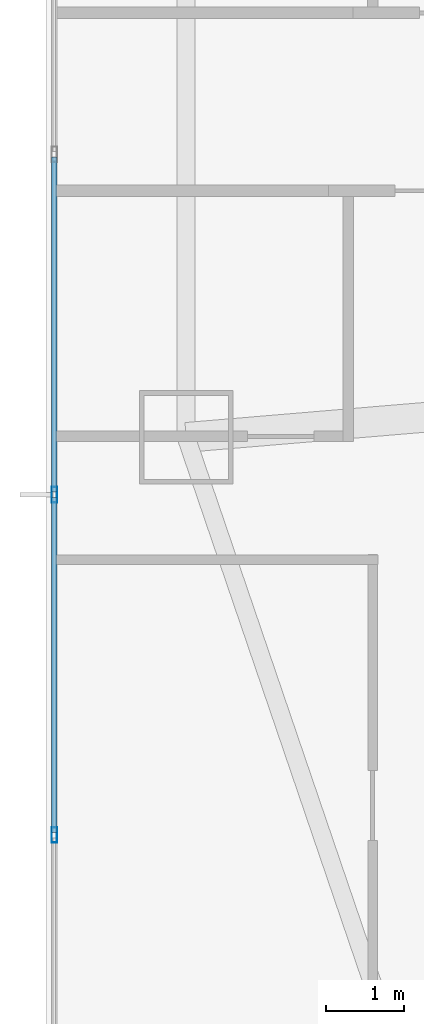
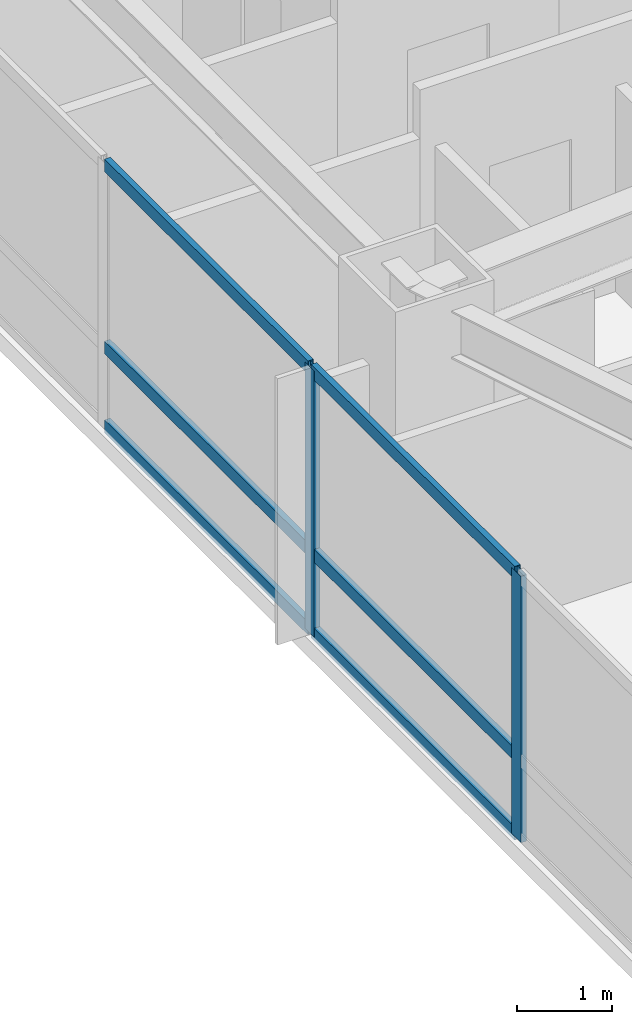
# One storey, part 4 of 25: 8 members, 1 element without a shape of its own.
"""IFC4 building model written with IfcOpenShell, lengths in metres."""

from ifc_helpers import new_model, si_unit, direction, frame, origin, origin_2d, place, context, subcontext, project, spatial, hollow_rectangle, extrude, material, material_profile, profile_set, type_object, element, aggregate, save


model = new_model("IFC4")

# Units and contexts
model_context = context("Model", 3, precision=1e-05, world=origin(), true_north=direction((0.0, 1.0)))
body_context = subcontext(model_context, "Body", "Model", "MODEL_VIEW")
ifc_project = project(units=[si_unit("LENGTHUNIT", "METRE"), si_unit("AREAUNIT", "SQUARE_METRE"), si_unit("VOLUMEUNIT", "CUBIC_METRE"), si_unit("PLANEANGLEUNIT", "RADIAN"), si_unit("MASSUNIT", "GRAM", prefix="KILO")], contexts=[model_context])

# Site, building, storey
site_placement = place(None, origin())
site = spatial("IfcSite", under=ifc_project, at=site_placement, CompositionType="ELEMENT")
building_placement = place(site_placement, origin())
building = spatial("IfcBuilding", under=site, at=building_placement, Name="Khamvora Tower", CompositionType="ELEMENT")
storey_placement = place(building_placement, frame((0.0, 0.0, 36.949951171875)))
storey = spatial("IfcBuildingStorey", under=building, at=storey_placement, Name="L08", CompositionType="ELEMENT", Elevation=36.949951171875)

# Curtain wall, members
ifc_material = material(Name="Anodised Aluminium 6063-T6", Category="aluminium")
curtain_wall_type = type_object("IfcCurtainWallType", Name="CW-SYS-02", PredefinedType="NOTDEFINED", material=ifc_material)
curtain_wall_placement = place(storey_placement, origin())
curtain_wall = element("IfcCurtainWall", 1, at=curtain_wall_placement, inside=storey, type_object=curtain_wall_type, Name="L08 stick curtain wall 02.1", PredefinedType="NOTDEFINED")
ifc_material_profile_1 = material_profile(ifc_material, hollow_rectangle(XDim=0.070068359375, YDim=0.199951171875, WallThickness=0.0048828125, at=origin_2d()), Name="MUL70x200x5")
ifc_profile_set_1 = profile_set([ifc_material_profile_1], Name="Anodised Aluminium 6063-T6")
member_type_1 = type_object("IfcMemberType", Name="CW-SYS-02-MUL", PredefinedType="MULLION", material=ifc_profile_set_1)
member_1_placement = place(storey_placement, frame((4.110107421875, 11.678466796875, 0.0), z_axis=(0.0, 0.0, 1.0), x_axis=(-1.0, 0.0, 0.0)))
member_1 = element("IfcMember", 2, at=member_1_placement, type_object=member_type_1, Name="CW-02 mullion 2", PredefinedType="MULLION", context=body_context, shape_type="SweptSolid", body=[
    extrude(hollow_rectangle(XDim=0.070068359375, YDim=0.199951171875, WallThickness=0.0048828125, at=origin_2d()), origin(), (0.0, 0.0, 1.0), 3.429931640625),
])
member_2_placement = place(storey_placement, frame((4.110107421875, 16.0400390625, 0.0), z_axis=(0.0, 0.0, 1.0), x_axis=(-1.0, 0.0, 0.0)))
member_2 = element("IfcMember", 3, at=member_2_placement, type_object=member_type_1, Name="CW-02 mullion 3", PredefinedType="MULLION", context=body_context, shape_type="SweptSolid", body=[
    extrude(hollow_rectangle(XDim=0.070068359375, YDim=0.199951171875, WallThickness=0.0048828125, at=origin_2d()), origin(), (0.0, 0.0, 1.0), 3.429931640625),
])
ifc_material_profile_2 = material_profile(ifc_material, hollow_rectangle(XDim=0.070068359375, YDim=0.1650390625, WallThickness=0.0048828125, at=origin_2d()), Name="TRN70x165x5")
ifc_profile_set_2 = profile_set([ifc_material_profile_2], Name="Anodised Aluminium 6063-T6")
member_type_2 = type_object("IfcMemberType", Name="CW-SYS-02-TRN", PredefinedType="USERDEFINED", material=ifc_profile_set_2)
member_3_placement = place(storey_placement, frame((4.110107421875, 11.71337890625, 0.03515625), z_axis=(0.0, 1.0, 0.0), x_axis=(-1.0, 0.0, 0.0)))
member_3 = element("IfcMember", 4, at=member_3_placement, type_object=member_type_2, Name="CW-02 transom 2.1", ObjectType="TRANSOM", PredefinedType="USERDEFINED", context=body_context, shape_type="SweptSolid", body=[
    extrude(hollow_rectangle(XDim=0.070068359375, YDim=0.1650390625, WallThickness=0.0048828125, at=origin_2d()), origin(), (0.0, 0.0, 1.0), 4.29150390625),
])
member_4_placement = place(storey_placement, frame((4.110107421875, 11.71337890625, 1.050048828125), z_axis=(0.0, 1.0, 0.0), x_axis=(-1.0, 0.0, 0.0)))
member_4 = element("IfcMember", 5, at=member_4_placement, type_object=member_type_2, Name="CW-02 transom 2.2", ObjectType="TRANSOM", PredefinedType="USERDEFINED", context=body_context, shape_type="SweptSolid", body=[
    extrude(hollow_rectangle(XDim=0.070068359375, YDim=0.1650390625, WallThickness=0.0048828125, at=origin_2d()), origin(), (0.0, 0.0, 1.0), 4.29150390625),
])
member_5_placement = place(storey_placement, frame((4.110107421875, 11.71337890625, 3.39501953125), z_axis=(0.0, 1.0, 0.0), x_axis=(-1.0, 0.0, 0.0)))
member_5 = element("IfcMember", 6, at=member_5_placement, type_object=member_type_2, Name="CW-02 transom 2.3", ObjectType="TRANSOM", PredefinedType="USERDEFINED", context=body_context, shape_type="SweptSolid", body=[
    extrude(hollow_rectangle(XDim=0.070068359375, YDim=0.1650390625, WallThickness=0.0048828125, at=origin_2d()), origin(), (0.0, 0.0, 1.0), 4.29150390625),
])
member_6_placement = place(storey_placement, frame((4.110107421875, 16.074951171875, 0.03515625), z_axis=(0.0, 1.0, 0.0), x_axis=(-1.0, 0.0, 0.0)))
member_6 = element("IfcMember", 7, at=member_6_placement, type_object=member_type_2, Name="CW-02 transom 3.1", ObjectType="TRANSOM", PredefinedType="USERDEFINED", context=body_context, shape_type="SweptSolid", body=[
    extrude(hollow_rectangle(XDim=0.070068359375, YDim=0.1650390625, WallThickness=0.0048828125, at=origin_2d()), origin(), (0.0, 0.0, 1.0), 4.29150390625),
])
member_7_placement = place(storey_placement, frame((4.110107421875, 16.074951171875, 1.050048828125), z_axis=(0.0, 1.0, 0.0), x_axis=(-1.0, 0.0, 0.0)))
member_7 = element("IfcMember", 8, at=member_7_placement, type_object=member_type_2, Name="CW-02 transom 3.2", ObjectType="TRANSOM", PredefinedType="USERDEFINED", context=body_context, shape_type="SweptSolid", body=[
    extrude(hollow_rectangle(XDim=0.070068359375, YDim=0.1650390625, WallThickness=0.0048828125, at=origin_2d()), origin(), (0.0, 0.0, 1.0), 4.29150390625),
])
member_8_placement = place(storey_placement, frame((4.110107421875, 16.074951171875, 3.39501953125), z_axis=(0.0, 1.0, 0.0), x_axis=(-1.0, 0.0, 0.0)))
member_8 = element("IfcMember", 9, at=member_8_placement, type_object=member_type_2, Name="CW-02 transom 3.3", ObjectType="TRANSOM", PredefinedType="USERDEFINED", context=body_context, shape_type="SweptSolid", body=[
    extrude(hollow_rectangle(XDim=0.070068359375, YDim=0.1650390625, WallThickness=0.0048828125, at=origin_2d()), origin(), (0.0, 0.0, 1.0), 4.29150390625),
])
aggregate(curtain_wall, [member_1, member_2, member_3, member_4, member_5, member_6, member_7, member_8])

save(model, "model.ifc")
